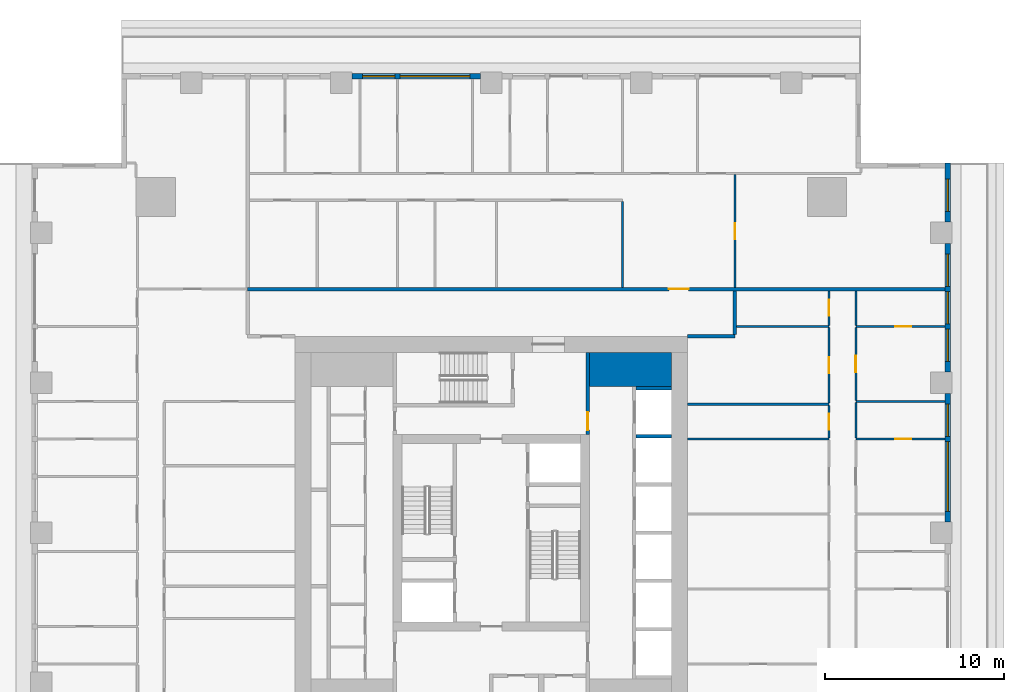
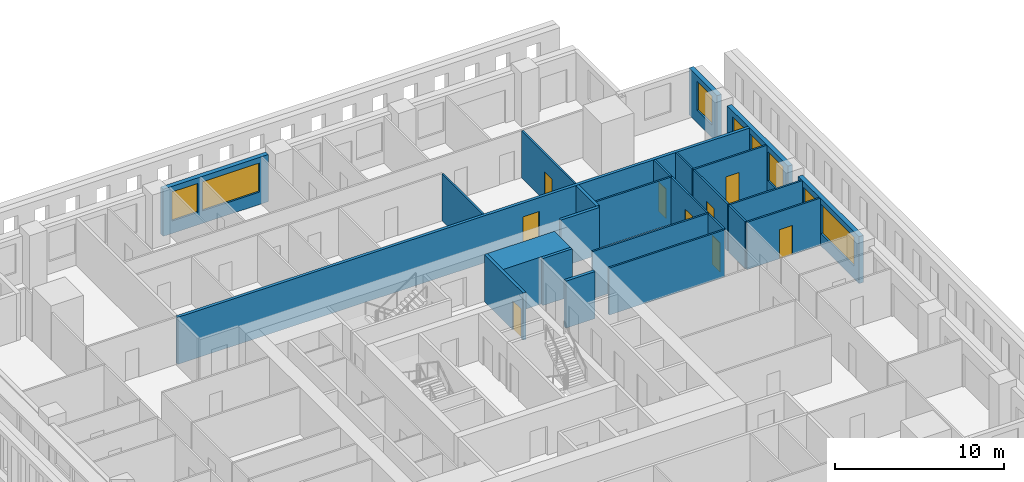
# One storey, part 8 of 14: 25 walls, 9 doors, 8 windows, 17 openings.
"""IFC4 building model written with IfcOpenShell, lengths in metres."""

from ifc_helpers import new_model, si_unit, direction, frame, frame_2d, origin, place, context, subcontext, project, spatial, rectangle, extrude, material, layer, layer_set, type_object, element, fill, save


model = new_model("IFC4")

# Units and contexts
model_context = context("Model", 3, precision=1e-05, world=origin(), true_north=direction((0.0, 1.0)))
body_context = subcontext(model_context, "Body", "Model", "MODEL_VIEW")
ifc_project = project(units=[si_unit("LENGTHUNIT", "METRE"), si_unit("AREAUNIT", "SQUARE_METRE"), si_unit("VOLUMEUNIT", "CUBIC_METRE"), si_unit("PLANEANGLEUNIT", "RADIAN"), si_unit("MASSUNIT", "GRAM", prefix="KILO")], contexts=[model_context])

# Site, building, storey
site_placement = place(None, origin())
site = spatial("IfcSite", under=ifc_project, at=site_placement, CompositionType="ELEMENT")
building_placement = place(site_placement, origin())
building = spatial("IfcBuilding", under=site, at=building_placement, Name="Khepri Terraces", CompositionType="ELEMENT")
storey_placement = place(building_placement, frame((0.0, 0.0, 283.5)))
storey = spatial("IfcBuildingStorey", under=building, at=storey_placement, Name="L68", CompositionType="ELEMENT", Elevation=283.5)

# Walls
ifc_material_1 = material(Name="Concrete C40/50", Category="concrete")
ifc_layer_1 = layer(ifc_material_1, 1.89990234375, Name="Concrete C40/50", Category="concrete")
ifc_layer_set_1 = layer_set([ifc_layer_1], Name="Concrete C40/50")
wall_type_1 = type_object("IfcWallType", Name="Core wall 1900 C40/50", PredefinedType="SHEAR", material=ifc_layer_set_1)
wall_1_placement = place(storey_placement, frame((5.5, 9.14990234375, 0.0), z_axis=(0.0, 0.0, 1.0), x_axis=(1.0, 0.0, 0.0)))
element("IfcWall", 1, at=wall_1_placement, inside=storey, type_object=wall_type_1, Name="Core wall PR04 L68", PredefinedType="SHEAR", context=body_context, shape_type="SweptSolid", body=[
    extrude(rectangle(XDim=4.60009765625, YDim=1.89990234375, at=frame_2d((2.300048828125, 0.0))), origin(), (0.0, 0.0, 1.0), 3.39990234375),
])
ifc_layer_2 = layer(ifc_material_1, 0.199951171875, Name="Concrete C40/50", Category="concrete")
ifc_layer_set_2 = layer_set([ifc_layer_2], Name="Concrete C40/50")
wall_type_2 = type_object("IfcWallType", Name="Core wall 200 C40/50", PredefinedType="SHEAR", material=ifc_layer_set_2)
for number, where, z_axis, x_axis, name in (
    (2, (8.10009765625, 5.39990234375, 0.0), (0.0, 0.0, 1.0), (1.0, 0.0, 0.0), "Core wall SH14 L68"),
    (3, (8.10009765625, 8.10009765625, 0.0), (0.0, 0.0, 1.0), (1.0, 0.0, 0.0), "Core wall SH15 L68"),
):
    element("IfcWall", number, at=place(storey_placement, frame(where, z_axis=z_axis, x_axis=x_axis)), inside=storey, type_object=wall_type_2, Name=name, PredefinedType="SHEAR", context=body_context, shape_type="SweptSolid", body=[
        extrude(rectangle(XDim=2.0, YDim=0.199951171875, at=frame_2d((1.0, 0.0))), origin(), (0.0, 0.0, 1.0), 3.39990234375),
    ])

# Wall, opening, door
ifc_material_2 = material(Name="Fire-rated gypsum board partition")
ifc_layer_3 = layer(ifc_material_2, 0.199951171875, Name="Fire-rated gypsum board partition")
ifc_layer_set_3 = layer_set([ifc_layer_3], Name="Fire-rated gypsum board partition")
wall_type_3 = type_object("IfcWallType", Name="WL-CORE-PART-200", PredefinedType="PARTITIONING", material=ifc_layer_set_3)
wall_2_placement = place(storey_placement, frame((5.39990234375, 5.5, 0.0), z_axis=(0.0, 0.0, 1.0), x_axis=(0.0, 1.0, 0.0)))
wall_2 = element("IfcWall", 4, at=wall_2_placement, inside=storey, type_object=wall_type_3, Name="Core partition PT13 L68", PredefinedType="PARTITIONING", context=body_context, shape_type="SweptSolid", body=[
    extrude(rectangle(XDim=4.60009765625, YDim=0.199951171875, at=frame_2d((2.300048828125, 0.0))), origin(), (0.0, 0.0, 1.0), 3.39990234375),
])
opening_1_placement = place(wall_2_placement, frame((0.25, 0.0, 0.0)))
opening_1 = element("IfcOpeningElement", 5, at=opening_1_placement, cuts=wall_2, Name="Opening L68-C17", PredefinedType="OPENING", context=body_context, shape_type="SweptSolid", body=[
    extrude(rectangle(XDim=1.0, YDim=2.10009765625, at=frame_2d((0.5, 1.050048828125))), frame((0.0, 0.10986328125, 0.0), z_axis=(0.0, -1.0, 0.0), x_axis=(1.0, 0.0, 0.0)), (0.0, 0.0, 1.0), 0.219970703125),
])
ifc_material_3 = material(Name="Painted steel", Category="steel")
door_type_1 = type_object("IfcDoorType", Name="DR-CORE-LOBBY-1000", OperationType="NOTDEFINED", PredefinedType="DOOR", material=ifc_material_3)
door_1_placement = place(opening_1_placement, origin())
door_1 = element("IfcDoor", 6, at=door_1_placement, inside=storey, type_object=door_type_1, Name="Lobby door L68-C17", OperationType="SINGLE_SWING_LEFT", OverallHeight=2.10009765625, OverallWidth=1.0, PredefinedType="DOOR", context=body_context, shape_type="SweptSolid", body=[
    extrude(rectangle(XDim=1.0, YDim=2.10009765625, at=frame_2d((0.5, 1.050048828125))), frame((0.0, 0.02490234375, 0.0), z_axis=(0.0, -1.0, 0.0), x_axis=(1.0, 0.0, 0.0)), (0.0, 0.0, 1.0), 0.050048828125),
])
fill(opening_1, door_1)

# Walls
ifc_material_4 = material(Name="Fire-rated gypsum plasterboard partition, mineral wool")
ifc_layer_4 = layer(ifc_material_4, 0.199951171875, Name="Fire-rated gypsum plasterboard partition, mineral wool")
ifc_layer_set_4 = layer_set([ifc_layer_4], Name="Fire-rated gypsum plasterboard partition, mineral wool")
wall_type_4 = type_object("IfcWallType", Name="WL-CORR-200", PredefinedType="PARTITIONING", material=ifc_layer_set_4)
wall_3_placement = place(storey_placement, frame((11.0, 11.0, 0.0), z_axis=(0.0, 0.0, 1.0), x_axis=(1.0, 0.0, 0.0)))
element("IfcWall", 7, at=wall_3_placement, inside=storey, type_object=wall_type_4, Name="Partition P-069 L68", PredefinedType="PARTITIONING", context=body_context, shape_type="SweptSolid", body=[
    extrude(rectangle(XDim=2.64990234375, YDim=0.199951171875, at=frame_2d((1.324951171875, 0.0))), origin(), (0.0, 0.0, 1.0), 3.39990234375),
])
wall_4_placement = place(storey_placement, frame((13.64990234375, 11.10009765625, 0.0), z_axis=(0.0, 0.0, 1.0), x_axis=(0.0, 1.0, 0.0)))
element("IfcWall", 8, at=wall_4_placement, inside=storey, type_object=wall_type_4, Name="Partition P-071 L68", PredefinedType="PARTITIONING", context=body_context, shape_type="SweptSolid", body=[
    extrude(rectangle(XDim=2.449951171875, YDim=0.199951171875, at=frame_2d((1.22509765625, 0.0))), origin(), (0.0, 0.0, 1.0), 3.39990234375),
])

# Wall, opening, door
wall_5_placement = place(storey_placement, frame((-13.64990234375, 13.64990234375, 0.0), z_axis=(0.0, 0.0, 1.0), x_axis=(1.0, 0.0, 0.0)))
wall_5 = element("IfcWall", 9, at=wall_5_placement, inside=storey, type_object=wall_type_4, Name="Partition P-079 L68", PredefinedType="PARTITIONING", context=body_context, shape_type="SweptSolid", body=[
    extrude(rectangle(XDim=39.06982421875, YDim=0.199951171875, at=frame_2d((19.534912109375, 0.0))), origin(), (0.0, 0.0, 1.0), 3.39990234375),
])
opening_2_placement = place(wall_5_placement, frame((23.60009765625, 0.0, 0.0)))
opening_2 = element("IfcOpeningElement", 10, at=opening_2_placement, cuts=wall_5, Name="Opening D1", PredefinedType="OPENING", context=body_context, shape_type="SweptSolid", body=[
    extrude(rectangle(XDim=1.10009765625, YDim=2.39990234375, at=frame_2d((0.550048828125, 1.199951171875))), frame((0.0, 0.10986328125, 0.0), z_axis=(0.0, -1.0, 0.0), x_axis=(1.0, 0.0, 0.0)), (0.0, 0.0, 1.0), 0.219970703125),
])
ifc_material_5 = material(Name="Solid-core timber door leaf, flat entrance door", Category="wood")
door_type_2 = type_object("IfcDoorType", Name="DR-ENT-1100", OperationType="NOTDEFINED", PredefinedType="DOOR", material=ifc_material_5)
door_2_placement = place(opening_2_placement, origin())
door_2 = element("IfcDoor", 11, at=door_2_placement, inside=storey, type_object=door_type_2, Name="Flat C1 entrance door", OperationType="SINGLE_SWING_RIGHT", OverallHeight=2.39990234375, OverallWidth=1.10009765625, PredefinedType="DOOR", context=body_context, shape_type="SweptSolid", body=[
    extrude(rectangle(XDim=1.10009765625, YDim=2.39990234375, at=frame_2d((0.550048828125, 1.199951171875))), frame((0.0, 0.02490234375, 0.0), z_axis=(0.0, -1.0, 0.0), x_axis=(1.0, 0.0, 0.0)), (0.0, 0.0, 1.0), 0.050048828125),
])
fill(opening_2, door_2)

# Wall, openings, windows
ifc_material_6 = material(Name="Precast concrete C50/60 warm stone", Category="masonry")
ifc_layer_5 = layer(ifc_material_6, 0.300048828125, Name="Precast concrete C50/60 warm stone", Category="masonry")
ifc_layer_set_5 = layer_set([ifc_layer_5], Name="Precast concrete C50/60 warm stone")
wall_type_5 = type_object("IfcWallType", Name="WL-EXT-PRECAST-300", PredefinedType="STANDARD", material=ifc_layer_set_5)
wall_6_placement = place(storey_placement, frame((25.570068359375, 0.60009765625, 0.0), z_axis=(0.0, 0.0, 1.0), x_axis=(0.0, 1.0, 0.0)))
wall_6 = element("IfcWall", 12, at=wall_6_placement, inside=storey, type_object=wall_type_5, Name="External wall L68 E", PredefinedType="STANDARD", context=body_context, shape_type="SweptSolid", body=[
    extrude(rectangle(XDim=7.199951171875, YDim=0.300048828125, at=frame_2d((3.60009765625, 0.0))), origin(), (0.0, 0.0, 1.0), 3.39990234375),
])
opening_3_placement = place(wall_6_placement, frame((0.60009765625, 0.0, 0.89990234375)))
opening_3 = element("IfcOpeningElement", 13, at=opening_3_placement, cuts=wall_6, Name="Opening W2", PredefinedType="OPENING", context=body_context, shape_type="SweptSolid", body=[
    extrude(rectangle(XDim=3.89990234375, YDim=2.10009765625, at=frame_2d((1.949951171875, 1.050048828125))), frame((0.0, 0.16015625, 0.0), z_axis=(0.0, -1.0, 0.0), x_axis=(1.0, 0.0, 0.0)), (0.0, 0.0, 1.0), 0.320068359375),
])
opening_4_placement = place(wall_6_placement, frame((4.800048828125, 0.0, 0.89990234375)))
opening_4 = element("IfcOpeningElement", 14, at=opening_4_placement, cuts=wall_6, Name="Opening W1", PredefinedType="OPENING", context=body_context, shape_type="SweptSolid", body=[
    extrude(rectangle(XDim=1.800048828125, YDim=2.10009765625, at=frame_2d((0.89990234375, 1.050048828125))), frame((0.0, 0.16015625, 0.0), z_axis=(0.0, -1.0, 0.0), x_axis=(1.0, 0.0, 0.0)), (0.0, 0.0, 1.0), 0.320068359375),
])
ifc_material_7 = material(Name="Clear glass", Category="glass")
window_type_1 = type_object("IfcWindowType", Name="WIN-RES-1800x2100", PartitioningType="SINGLE_PANEL", PredefinedType="WINDOW", material=ifc_material_7)
window_1_placement = place(opening_4_placement, origin())
window_1 = element("IfcWindow", 15, at=window_1_placement, inside=storey, type_object=window_type_1, Name="Window L68 E", OverallHeight=2.10009765625, OverallWidth=1.800048828125, PartitioningType="SINGLE_PANEL", PredefinedType="WINDOW", context=body_context, shape_type="SweptSolid", body=[
    extrude(rectangle(XDim=1.800048828125, YDim=2.10009765625, at=frame_2d((0.89990234375, 1.050048828125))), frame((0.0, 0.030029296875, 0.0), z_axis=(0.0, -1.0, 0.0), x_axis=(1.0, 0.0, 0.0)), (0.0, 0.0, 1.0), 0.06005859375),
])
fill(opening_4, window_1)
window_type_2 = type_object("IfcWindowType", Name="WIN-RES-3900x2100", PartitioningType="SINGLE_PANEL", PredefinedType="WINDOW", material=ifc_material_7)
window_2_placement = place(opening_3_placement, origin())
window_2 = element("IfcWindow", 16, at=window_2_placement, inside=storey, type_object=window_type_2, Name="Window L68 E", OverallHeight=2.10009765625, OverallWidth=3.89990234375, PartitioningType="SINGLE_PANEL", PredefinedType="WINDOW", context=body_context, shape_type="SweptSolid", body=[
    extrude(rectangle(XDim=3.89990234375, YDim=2.10009765625, at=frame_2d((1.949951171875, 1.050048828125))), frame((0.0, 0.030029296875, 0.0), z_axis=(0.0, -1.0, 0.0), x_axis=(1.0, 0.0, 0.0)), (0.0, 0.0, 1.0), 0.06005859375),
])
fill(opening_3, window_2)

wall_7_placement = place(storey_placement, frame((25.570068359375, 9.0, 0.0), z_axis=(0.0, 0.0, 1.0), x_axis=(0.0, 1.0, 0.0)))
wall_7 = element("IfcWall", 17, at=wall_7_placement, inside=storey, type_object=wall_type_5, Name="External wall L68 E", PredefinedType="STANDARD", context=body_context, shape_type="SweptSolid", body=[
    extrude(rectangle(XDim=7.199951171875, YDim=0.300048828125, at=frame_2d((3.60009765625, 0.0))), origin(), (0.0, 0.0, 1.0), 3.39990234375),
])
opening_5_placement = place(wall_7_placement, frame((0.60009765625, 0.0, 0.89990234375)))
opening_5 = element("IfcOpeningElement", 18, at=opening_5_placement, cuts=wall_7, Name="Opening W1", PredefinedType="OPENING", context=body_context, shape_type="SweptSolid", body=[
    extrude(rectangle(XDim=1.800048828125, YDim=2.10009765625, at=frame_2d((0.89990234375, 1.050048828125))), frame((0.0, 0.16015625, 0.0), z_axis=(0.0, -1.0, 0.0), x_axis=(1.0, 0.0, 0.0)), (0.0, 0.0, 1.0), 0.320068359375),
])
opening_6_placement = place(wall_7_placement, frame((2.699951171875, 0.0, 0.89990234375)))
opening_6 = element("IfcOpeningElement", 19, at=opening_6_placement, cuts=wall_7, Name="Opening W1", PredefinedType="OPENING", context=body_context, shape_type="SweptSolid", body=[
    extrude(rectangle(XDim=1.800048828125, YDim=2.10009765625, at=frame_2d((0.89990234375, 1.050048828125))), frame((0.0, 0.16015625, 0.0), z_axis=(0.0, -1.0, 0.0), x_axis=(1.0, 0.0, 0.0)), (0.0, 0.0, 1.0), 0.320068359375),
])
opening_7_placement = place(wall_7_placement, frame((4.800048828125, 0.0, 0.89990234375)))
opening_7 = element("IfcOpeningElement", 20, at=opening_7_placement, cuts=wall_7, Name="Opening W1", PredefinedType="OPENING", context=body_context, shape_type="SweptSolid", body=[
    extrude(rectangle(XDim=1.800048828125, YDim=2.10009765625, at=frame_2d((0.89990234375, 1.050048828125))), frame((0.0, 0.16015625, 0.0), z_axis=(0.0, -1.0, 0.0), x_axis=(1.0, 0.0, 0.0)), (0.0, 0.0, 1.0), 0.320068359375),
])
window_3_placement = place(opening_5_placement, origin())
window_3 = element("IfcWindow", 21, at=window_3_placement, inside=storey, type_object=window_type_1, Name="Window L68 E", OverallHeight=2.10009765625, OverallWidth=1.800048828125, PartitioningType="SINGLE_PANEL", PredefinedType="WINDOW", context=body_context, shape_type="SweptSolid", body=[
    extrude(rectangle(XDim=1.800048828125, YDim=2.10009765625, at=frame_2d((0.89990234375, 1.050048828125))), frame((0.0, 0.030029296875, 0.0), z_axis=(0.0, -1.0, 0.0), x_axis=(1.0, 0.0, 0.0)), (0.0, 0.0, 1.0), 0.06005859375),
])
fill(opening_5, window_3)
window_4_placement = place(opening_6_placement, origin())
window_4 = element("IfcWindow", 22, at=window_4_placement, inside=storey, type_object=window_type_1, Name="Window L68 E", OverallHeight=2.10009765625, OverallWidth=1.800048828125, PartitioningType="SINGLE_PANEL", PredefinedType="WINDOW", context=body_context, shape_type="SweptSolid", body=[
    extrude(rectangle(XDim=1.800048828125, YDim=2.10009765625, at=frame_2d((0.89990234375, 1.050048828125))), frame((0.0, 0.030029296875, 0.0), z_axis=(0.0, -1.0, 0.0), x_axis=(1.0, 0.0, 0.0)), (0.0, 0.0, 1.0), 0.06005859375),
])
fill(opening_6, window_4)
window_5_placement = place(opening_7_placement, origin())
window_5 = element("IfcWindow", 23, at=window_5_placement, inside=storey, type_object=window_type_1, Name="Window L68 E", OverallHeight=2.10009765625, OverallWidth=1.800048828125, PartitioningType="SINGLE_PANEL", PredefinedType="WINDOW", context=body_context, shape_type="SweptSolid", body=[
    extrude(rectangle(XDim=1.800048828125, YDim=2.10009765625, at=frame_2d((0.89990234375, 1.050048828125))), frame((0.0, 0.030029296875, 0.0), z_axis=(0.0, -1.0, 0.0), x_axis=(1.0, 0.0, 0.0)), (0.0, 0.0, 1.0), 0.06005859375),
])
fill(opening_7, window_5)

# Wall, opening, window
wall_8_placement = place(storey_placement, frame((25.570068359375, 17.39990234375, 0.0), z_axis=(0.0, 0.0, 1.0), x_axis=(0.0, 1.0, 0.0)))
wall_8 = element("IfcWall", 24, at=wall_8_placement, inside=storey, type_object=wall_type_5, Name="External wall L68 E", PredefinedType="STANDARD", context=body_context, shape_type="SweptSolid", body=[
    extrude(rectangle(XDim=3.320068359375, YDim=0.300048828125, at=frame_2d((1.66015625, 0.0))), origin(), (0.0, 0.0, 1.0), 3.39990234375),
])
opening_8_placement = place(wall_8_placement, frame((0.60009765625, 0.0, 0.89990234375)))
opening_8 = element("IfcOpeningElement", 25, at=opening_8_placement, cuts=wall_8, Name="Opening W1", PredefinedType="OPENING", context=body_context, shape_type="SweptSolid", body=[
    extrude(rectangle(XDim=1.800048828125, YDim=2.10009765625, at=frame_2d((0.89990234375, 1.050048828125))), frame((0.0, 0.16015625, 0.0), z_axis=(0.0, -1.0, 0.0), x_axis=(1.0, 0.0, 0.0)), (0.0, 0.0, 1.0), 0.320068359375),
])
window_6_placement = place(opening_8_placement, origin())
window_6 = element("IfcWindow", 26, at=window_6_placement, inside=storey, type_object=window_type_1, Name="Window L68 E", OverallHeight=2.10009765625, OverallWidth=1.800048828125, PartitioningType="SINGLE_PANEL", PredefinedType="WINDOW", context=body_context, shape_type="SweptSolid", body=[
    extrude(rectangle(XDim=1.800048828125, YDim=2.10009765625, at=frame_2d((0.89990234375, 1.050048828125))), frame((0.0, 0.030029296875, 0.0), z_axis=(0.0, -1.0, 0.0), x_axis=(1.0, 0.0, 0.0)), (0.0, 0.0, 1.0), 0.06005859375),
])
fill(opening_8, window_6)

# Wall, openings, windows
wall_9_placement = place(storey_placement, frame((-0.60009765625, 25.570068359375, 0.0), z_axis=(0.0, 0.0, 1.0), x_axis=(-1.0, 0.0, 0.0)))
wall_9 = element("IfcWall", 27, at=wall_9_placement, inside=storey, type_object=wall_type_5, Name="External wall L68 N", PredefinedType="STANDARD", context=body_context, shape_type="SweptSolid", body=[
    extrude(rectangle(XDim=7.199951171875, YDim=0.300048828125, at=frame_2d((3.60009765625, 0.0))), origin(), (0.0, 0.0, 1.0), 3.39990234375),
])
opening_9_placement = place(wall_9_placement, frame((0.60009765625, 0.0, 0.89990234375)))
opening_9 = element("IfcOpeningElement", 28, at=opening_9_placement, cuts=wall_9, Name="Opening W2", PredefinedType="OPENING", context=body_context, shape_type="SweptSolid", body=[
    extrude(rectangle(XDim=3.89990234375, YDim=2.10009765625, at=frame_2d((1.949951171875, 1.050048828125))), frame((0.0, 0.16015625, 0.0), z_axis=(0.0, -1.0, 0.0), x_axis=(1.0, 0.0, 0.0)), (0.0, 0.0, 1.0), 0.320068359375),
])
opening_10_placement = place(wall_9_placement, frame((4.800048828125, 0.0, 0.89990234375)))
opening_10 = element("IfcOpeningElement", 29, at=opening_10_placement, cuts=wall_9, Name="Opening W1", PredefinedType="OPENING", context=body_context, shape_type="SweptSolid", body=[
    extrude(rectangle(XDim=1.800048828125, YDim=2.10009765625, at=frame_2d((0.89990234375, 1.050048828125))), frame((0.0, 0.16015625, 0.0), z_axis=(0.0, -1.0, 0.0), x_axis=(1.0, 0.0, 0.0)), (0.0, 0.0, 1.0), 0.320068359375),
])
window_7_placement = place(opening_10_placement, origin())
window_7 = element("IfcWindow", 30, at=window_7_placement, inside=storey, type_object=window_type_1, Name="Window L68 N", OverallHeight=2.10009765625, OverallWidth=1.800048828125, PartitioningType="SINGLE_PANEL", PredefinedType="WINDOW", context=body_context, shape_type="SweptSolid", body=[
    extrude(rectangle(XDim=1.800048828125, YDim=2.10009765625, at=frame_2d((0.89990234375, 1.050048828125))), frame((0.0, 0.030029296875, 0.0), z_axis=(0.0, -1.0, 0.0), x_axis=(1.0, 0.0, 0.0)), (0.0, 0.0, 1.0), 0.06005859375),
])
fill(opening_10, window_7)
window_8_placement = place(opening_9_placement, origin())
window_8 = element("IfcWindow", 31, at=window_8_placement, inside=storey, type_object=window_type_2, Name="Window L68 N", OverallHeight=2.10009765625, OverallWidth=3.89990234375, PartitioningType="SINGLE_PANEL", PredefinedType="WINDOW", context=body_context, shape_type="SweptSolid", body=[
    extrude(rectangle(XDim=3.89990234375, YDim=2.10009765625, at=frame_2d((1.949951171875, 1.050048828125))), frame((0.0, 0.030029296875, 0.0), z_axis=(0.0, -1.0, 0.0), x_axis=(1.0, 0.0, 0.0)), (0.0, 0.0, 1.0), 0.06005859375),
])
fill(opening_9, window_8)

# Wall
ifc_material_8 = material(Name="Gypsum plasterboard partition")
ifc_layer_6 = layer(ifc_material_8, 0.1201171875, Name="Gypsum plasterboard partition")
ifc_layer_set_6 = layer_set([ifc_layer_6], Name="Gypsum plasterboard partition")
wall_type_6 = type_object("IfcWallType", Name="WL-PART-120", PredefinedType="PARTITIONING", material=ifc_layer_set_6)
wall_10_placement = place(storey_placement, frame((11.0, 5.25, 0.0), z_axis=(0.0, 0.0, 1.0), x_axis=(1.0, 0.0, 0.0)))
element("IfcWall", 32, at=wall_10_placement, inside=storey, type_object=wall_type_6, Name="Partition P-056 L68", PredefinedType="PARTITIONING", context=body_context, shape_type="SweptSolid", body=[
    extrude(rectangle(XDim=7.919921875, YDim=0.1201171875, at=frame_2d((3.9599609375, 0.0))), origin(), (0.0, 0.0, 1.0), 3.39990234375),
])

# Wall, opening, door
wall_11_placement = place(storey_placement, frame((20.419921875, 5.25, 0.0), z_axis=(0.0, 0.0, 1.0), x_axis=(1.0, 0.0, 0.0)))
wall_11 = element("IfcWall", 33, at=wall_11_placement, inside=storey, type_object=wall_type_6, Name="Partition P-057 L68", PredefinedType="PARTITIONING", context=body_context, shape_type="SweptSolid", body=[
    extrude(rectangle(XDim=5.0, YDim=0.1201171875, at=frame_2d((2.5, 0.0))), origin(), (0.0, 0.0, 1.0), 3.39990234375),
])
opening_11_placement = place(wall_11_placement, frame((2.199951171875, 0.0, 0.0)))
opening_11 = element("IfcOpeningElement", 34, at=opening_11_placement, cuts=wall_11, Name="Opening D4", PredefinedType="OPENING", context=body_context, shape_type="SweptSolid", body=[
    extrude(rectangle(XDim=0.89990234375, YDim=2.10009765625, at=frame_2d((0.449951171875, 1.050048828125))), frame((0.0, 0.070068359375, 0.0), z_axis=(0.0, -1.0, 0.0), x_axis=(1.0, 0.0, 0.0)), (0.0, 0.0, 1.0), 0.14013671875),
])
ifc_material_9 = material(Name="Timber door leaf, moisture resistant", Category="wood")
door_type_3 = type_object("IfcDoorType", Name="DR-WET-900", OperationType="NOTDEFINED", PredefinedType="DOOR", material=ifc_material_9)
door_3_placement = place(opening_11_placement, origin())
door_3 = element("IfcDoor", 35, at=door_3_placement, inside=storey, type_object=door_type_3, Name="Door Bathroom", OperationType="SINGLE_SWING_RIGHT", OverallHeight=2.10009765625, OverallWidth=0.89990234375, PredefinedType="DOOR", context=body_context, shape_type="SweptSolid", body=[
    extrude(rectangle(XDim=0.89990234375, YDim=2.10009765625, at=frame_2d((0.449951171875, 1.050048828125))), frame((0.0, 0.02490234375, 0.0), z_axis=(0.0, -1.0, 0.0), x_axis=(1.0, 0.0, 0.0)), (0.0, 0.0, 1.0), 0.050048828125),
])
fill(opening_11, door_3)

wall_12_placement = place(storey_placement, frame((18.919921875, 5.31005859375, 0.0), z_axis=(0.0, 0.0, 1.0), x_axis=(0.0, 1.0, 0.0)))
wall_12 = element("IfcWall", 36, at=wall_12_placement, inside=storey, type_object=wall_type_6, Name="Partition P-059 L68", PredefinedType="PARTITIONING", context=body_context, shape_type="SweptSolid", body=[
    extrude(rectangle(XDim=1.829833984375, YDim=0.1201171875, at=frame_2d((0.9150390625, 0.0))), origin(), (0.0, 0.0, 1.0), 3.39990234375),
])
opening_12_placement = place(wall_12_placement, frame((0.465087890625, 0.0, 0.0)))
opening_12 = element("IfcOpeningElement", 37, at=opening_12_placement, cuts=wall_12, Name="Opening D4", PredefinedType="OPENING", context=body_context, shape_type="SweptSolid", body=[
    extrude(rectangle(XDim=0.89990234375, YDim=2.10009765625, at=frame_2d((0.449951171875, 1.050048828125))), frame((0.0, 0.070068359375, 0.0), z_axis=(0.0, -1.0, 0.0), x_axis=(1.0, 0.0, 0.0)), (0.0, 0.0, 1.0), 0.14013671875),
])
door_4_placement = place(opening_12_placement, origin())
door_4 = element("IfcDoor", 38, at=door_4_placement, inside=storey, type_object=door_type_3, Name="Door Guest Bathroom", OperationType="SINGLE_SWING_RIGHT", OverallHeight=2.10009765625, OverallWidth=0.89990234375, PredefinedType="DOOR", context=body_context, shape_type="SweptSolid", body=[
    extrude(rectangle(XDim=0.89990234375, YDim=2.10009765625, at=frame_2d((0.449951171875, 1.050048828125))), frame((0.0, 0.02490234375, 0.0), z_axis=(0.0, -1.0, 0.0), x_axis=(1.0, 0.0, 0.0)), (0.0, 0.0, 1.0), 0.050048828125),
])
fill(opening_12, door_4)

# Walls
wall_13_placement = place(storey_placement, frame((20.419921875, 5.31005859375, 0.0), z_axis=(0.0, 0.0, 1.0), x_axis=(0.0, 1.0, 0.0)))
element("IfcWall", 39, at=wall_13_placement, inside=storey, type_object=wall_type_6, Name="Partition P-060 L68", PredefinedType="PARTITIONING", context=body_context, shape_type="SweptSolid", body=[
    extrude(rectangle(XDim=1.97998046875, YDim=0.1201171875, at=frame_2d((0.989990234375, 0.0))), origin(), (0.0, 0.0, 1.0), 3.39990234375),
])
wall_14_placement = place(storey_placement, frame((11.0, 7.199951171875, 0.0), z_axis=(0.0, 0.0, 1.0), x_axis=(1.0, 0.0, 0.0)))
element("IfcWall", 40, at=wall_14_placement, inside=storey, type_object=wall_type_6, Name="Partition P-061 L68", PredefinedType="PARTITIONING", context=body_context, shape_type="SweptSolid", body=[
    extrude(rectangle(XDim=7.919921875, YDim=0.1201171875, at=frame_2d((3.9599609375, 0.0))), origin(), (0.0, 0.0, 1.0), 3.39990234375),
])

# Wall, opening, door
wall_15_placement = place(storey_placement, frame((18.919921875, 7.260009765625, 0.0), z_axis=(0.0, 0.0, 1.0), x_axis=(0.0, 1.0, 0.0)))
wall_15 = element("IfcWall", 41, at=wall_15_placement, inside=storey, type_object=wall_type_6, Name="Partition P-062 L68", PredefinedType="PARTITIONING", context=body_context, shape_type="SweptSolid", body=[
    extrude(rectangle(XDim=4.22998046875, YDim=0.1201171875, at=frame_2d((2.114990234375, 0.0))), origin(), (0.0, 0.0, 1.0), 3.39990234375),
])
opening_13_placement = place(wall_15_placement, frame((1.6650390625, 0.0, 0.0)))
opening_13 = element("IfcOpeningElement", 42, at=opening_13_placement, cuts=wall_15, Name="Opening D3", PredefinedType="OPENING", context=body_context, shape_type="SweptSolid", body=[
    extrude(rectangle(XDim=0.89990234375, YDim=2.10009765625, at=frame_2d((0.449951171875, 1.050048828125))), frame((0.0, 0.070068359375, 0.0), z_axis=(0.0, -1.0, 0.0), x_axis=(1.0, 0.0, 0.0)), (0.0, 0.0, 1.0), 0.14013671875),
])
ifc_material_10 = material(Name="Timber door leaf", Category="wood")
door_type_4 = type_object("IfcDoorType", Name="DR-INT-900", OperationType="NOTDEFINED", PredefinedType="DOOR", material=ifc_material_10)
door_5_placement = place(opening_13_placement, origin())
door_5 = element("IfcDoor", 43, at=door_5_placement, inside=storey, type_object=door_type_4, Name="Door Utility Room", OperationType="SINGLE_SWING_RIGHT", OverallHeight=2.10009765625, OverallWidth=0.89990234375, PredefinedType="DOOR", context=body_context, shape_type="SweptSolid", body=[
    extrude(rectangle(XDim=0.89990234375, YDim=2.10009765625, at=frame_2d((0.449951171875, 1.050048828125))), frame((0.0, 0.02490234375, 0.0), z_axis=(0.0, -1.0, 0.0), x_axis=(1.0, 0.0, 0.0)), (0.0, 0.0, 1.0), 0.050048828125),
])
fill(opening_13, door_5)

# Wall
wall_16_placement = place(storey_placement, frame((20.419921875, 7.35009765625, 0.0), z_axis=(0.0, 0.0, 1.0), x_axis=(1.0, 0.0, 0.0)))
element("IfcWall", 44, at=wall_16_placement, inside=storey, type_object=wall_type_6, Name="Partition P-065 L68", PredefinedType="PARTITIONING", context=body_context, shape_type="SweptSolid", body=[
    extrude(rectangle(XDim=5.0, YDim=0.1201171875, at=frame_2d((2.5, 0.0))), origin(), (0.0, 0.0, 1.0), 3.39990234375),
])

# Wall, opening, door
wall_17_placement = place(storey_placement, frame((20.419921875, 7.409912109375, 0.0), z_axis=(0.0, 0.0, 1.0), x_axis=(0.0, 1.0, 0.0)))
wall_17 = element("IfcWall", 45, at=wall_17_placement, inside=storey, type_object=wall_type_6, Name="Partition P-067 L68", PredefinedType="PARTITIONING", context=body_context, shape_type="SweptSolid", body=[
    extrude(rectangle(XDim=4.080078125, YDim=0.1201171875, at=frame_2d((2.0400390625, 0.0))), origin(), (0.0, 0.0, 1.0), 3.39990234375),
])
opening_14_placement = place(wall_17_placement, frame((1.590087890625, 0.0, 0.0)))
opening_14 = element("IfcOpeningElement", 46, at=opening_14_placement, cuts=wall_17, Name="Opening D3", PredefinedType="OPENING", context=body_context, shape_type="SweptSolid", body=[
    extrude(rectangle(XDim=0.89990234375, YDim=2.10009765625, at=frame_2d((0.449951171875, 1.050048828125))), frame((0.0, 0.070068359375, 0.0), z_axis=(0.0, -1.0, 0.0), x_axis=(1.0, 0.0, 0.0)), (0.0, 0.0, 1.0), 0.14013671875),
])
door_6_placement = place(opening_14_placement, frame((0.89990234375, 0.0, 0.0), z_axis=(0.0, 0.0, 1.0), x_axis=(-1.0, 0.0, 0.0)))
door_6 = element("IfcDoor", 47, at=door_6_placement, inside=storey, type_object=door_type_4, Name="Door Bedroom", OperationType="SINGLE_SWING_RIGHT", OverallHeight=2.10009765625, OverallWidth=0.89990234375, PredefinedType="DOOR", context=body_context, shape_type="SweptSolid", body=[
    extrude(rectangle(XDim=0.89990234375, YDim=2.10009765625, at=frame_2d((0.449951171875, 1.050048828125))), frame((0.0, 0.02490234375, 0.0), z_axis=(0.0, -1.0, 0.0), x_axis=(1.0, 0.0, 0.0)), (0.0, 0.0, 1.0), 0.050048828125),
])
fill(opening_14, door_6)

# Wall
wall_18_placement = place(storey_placement, frame((13.75, 11.550048828125, 0.0), z_axis=(0.0, 0.0, 1.0), x_axis=(1.0, 0.0, 0.0)))
element("IfcWall", 48, at=wall_18_placement, inside=storey, type_object=wall_type_6, Name="Partition P-073 L68", PredefinedType="PARTITIONING", context=body_context, shape_type="SweptSolid", body=[
    extrude(rectangle(XDim=5.169921875, YDim=0.1201171875, at=frame_2d((2.5849609375, 0.0))), origin(), (0.0, 0.0, 1.0), 3.39990234375),
])

# Wall, opening, door
wall_19_placement = place(storey_placement, frame((20.419921875, 11.550048828125, 0.0), z_axis=(0.0, 0.0, 1.0), x_axis=(1.0, 0.0, 0.0)))
wall_19 = element("IfcWall", 49, at=wall_19_placement, inside=storey, type_object=wall_type_6, Name="Partition P-074 L68", PredefinedType="PARTITIONING", context=body_context, shape_type="SweptSolid", body=[
    extrude(rectangle(XDim=5.0, YDim=0.1201171875, at=frame_2d((2.5, 0.0))), origin(), (0.0, 0.0, 1.0), 3.39990234375),
])
opening_15_placement = place(wall_19_placement, frame((2.199951171875, 0.0, 0.0)))
opening_15 = element("IfcOpeningElement", 50, at=opening_15_placement, cuts=wall_19, Name="Opening D4", PredefinedType="OPENING", context=body_context, shape_type="SweptSolid", body=[
    extrude(rectangle(XDim=0.89990234375, YDim=2.10009765625, at=frame_2d((0.449951171875, 1.050048828125))), frame((0.0, 0.070068359375, 0.0), z_axis=(0.0, -1.0, 0.0), x_axis=(1.0, 0.0, 0.0)), (0.0, 0.0, 1.0), 0.14013671875),
])
door_7_placement = place(opening_15_placement, origin())
door_7 = element("IfcDoor", 51, at=door_7_placement, inside=storey, type_object=door_type_3, Name="Door Bathroom", OperationType="SINGLE_SWING_RIGHT", OverallHeight=2.10009765625, OverallWidth=0.89990234375, PredefinedType="DOOR", context=body_context, shape_type="SweptSolid", body=[
    extrude(rectangle(XDim=0.89990234375, YDim=2.10009765625, at=frame_2d((0.449951171875, 1.050048828125))), frame((0.0, 0.02490234375, 0.0), z_axis=(0.0, -1.0, 0.0), x_axis=(1.0, 0.0, 0.0)), (0.0, 0.0, 1.0), 0.050048828125),
])
fill(opening_15, door_7)

wall_20_placement = place(storey_placement, frame((18.919921875, 11.610107421875, 0.0), z_axis=(0.0, 0.0, 1.0), x_axis=(0.0, 1.0, 0.0)))
wall_20 = element("IfcWall", 52, at=wall_20_placement, inside=storey, type_object=wall_type_6, Name="Partition P-076 L68", PredefinedType="PARTITIONING", context=body_context, shape_type="SweptSolid", body=[
    extrude(rectangle(XDim=1.93994140625, YDim=0.1201171875, at=frame_2d((0.969970703125, 0.0))), origin(), (0.0, 0.0, 1.0), 3.39990234375),
])
opening_16_placement = place(wall_20_placement, frame((0.5400390625, 0.0, 0.0)))
opening_16 = element("IfcOpeningElement", 53, at=opening_16_placement, cuts=wall_20, Name="Opening D3", PredefinedType="OPENING", context=body_context, shape_type="SweptSolid", body=[
    extrude(rectangle(XDim=0.89990234375, YDim=2.10009765625, at=frame_2d((0.449951171875, 1.050048828125))), frame((0.0, 0.070068359375, 0.0), z_axis=(0.0, -1.0, 0.0), x_axis=(1.0, 0.0, 0.0)), (0.0, 0.0, 1.0), 0.14013671875),
])
door_8_placement = place(opening_16_placement, origin())
door_8 = element("IfcDoor", 54, at=door_8_placement, inside=storey, type_object=door_type_4, Name="Door Utility Room", OperationType="SINGLE_SWING_RIGHT", OverallHeight=2.10009765625, OverallWidth=0.89990234375, PredefinedType="DOOR", context=body_context, shape_type="SweptSolid", body=[
    extrude(rectangle(XDim=0.89990234375, YDim=2.10009765625, at=frame_2d((0.449951171875, 1.050048828125))), frame((0.0, 0.02490234375, 0.0), z_axis=(0.0, -1.0, 0.0), x_axis=(1.0, 0.0, 0.0)), (0.0, 0.0, 1.0), 0.050048828125),
])
fill(opening_16, door_8)

# Walls
wall_21_placement = place(storey_placement, frame((20.419921875, 11.610107421875, 0.0), z_axis=(0.0, 0.0, 1.0), x_axis=(0.0, 1.0, 0.0)))
element("IfcWall", 55, at=wall_21_placement, inside=storey, type_object=wall_type_6, Name="Partition P-077 L68", PredefinedType="PARTITIONING", context=body_context, shape_type="SweptSolid", body=[
    extrude(rectangle(XDim=1.93994140625, YDim=0.1201171875, at=frame_2d((0.969970703125, 0.0))), origin(), (0.0, 0.0, 1.0), 3.39990234375),
])
wall_22_placement = place(storey_placement, frame((7.35009765625, 13.75, 0.0), z_axis=(0.0, 0.0, 1.0), x_axis=(0.0, 1.0, 0.0)))
element("IfcWall", 56, at=wall_22_placement, inside=storey, type_object=wall_type_6, Name="Partition P-086 L68", PredefinedType="PARTITIONING", context=body_context, shape_type="SweptSolid", body=[
    extrude(rectangle(XDim=4.81005859375, YDim=0.1201171875, at=frame_2d((2.405029296875, 0.0))), origin(), (0.0, 0.0, 1.0), 3.39990234375),
])

# Wall, opening, door
wall_23_placement = place(storey_placement, frame((13.64990234375, 13.75, 0.0), z_axis=(0.0, 0.0, 1.0), x_axis=(0.0, 1.0, 0.0)))
wall_23 = element("IfcWall", 57, at=wall_23_placement, inside=storey, type_object=wall_type_6, Name="Partition P-087 L68", PredefinedType="PARTITIONING", context=body_context, shape_type="SweptSolid", body=[
    extrude(rectangle(XDim=6.31005859375, YDim=0.1201171875, at=frame_2d((3.155029296875, 0.0))), origin(), (0.0, 0.0, 1.0), 3.39990234375),
])
opening_17_placement = place(wall_23_placement, frame((2.68505859375, 0.0, 0.0)))
opening_17 = element("IfcOpeningElement", 58, at=opening_17_placement, cuts=wall_23, Name="Opening D3", PredefinedType="OPENING", context=body_context, shape_type="SweptSolid", body=[
    extrude(rectangle(XDim=0.89990234375, YDim=2.10009765625, at=frame_2d((0.449951171875, 1.050048828125))), frame((0.0, 0.070068359375, 0.0), z_axis=(0.0, -1.0, 0.0), x_axis=(1.0, 0.0, 0.0)), (0.0, 0.0, 1.0), 0.14013671875),
])
door_9_placement = place(opening_17_placement, frame((0.89990234375, 0.0, 0.0), z_axis=(0.0, 0.0, 1.0), x_axis=(-1.0, 0.0, 0.0)))
door_9 = element("IfcDoor", 59, at=door_9_placement, inside=storey, type_object=door_type_4, Name="Door Library", OperationType="SINGLE_SWING_RIGHT", OverallHeight=2.10009765625, OverallWidth=0.89990234375, PredefinedType="DOOR", context=body_context, shape_type="SweptSolid", body=[
    extrude(rectangle(XDim=0.89990234375, YDim=2.10009765625, at=frame_2d((0.449951171875, 1.050048828125))), frame((0.0, 0.02490234375, 0.0), z_axis=(0.0, -1.0, 0.0), x_axis=(1.0, 0.0, 0.0)), (0.0, 0.0, 1.0), 0.050048828125),
])
fill(opening_17, door_9)

save(model, "model.ifc")
